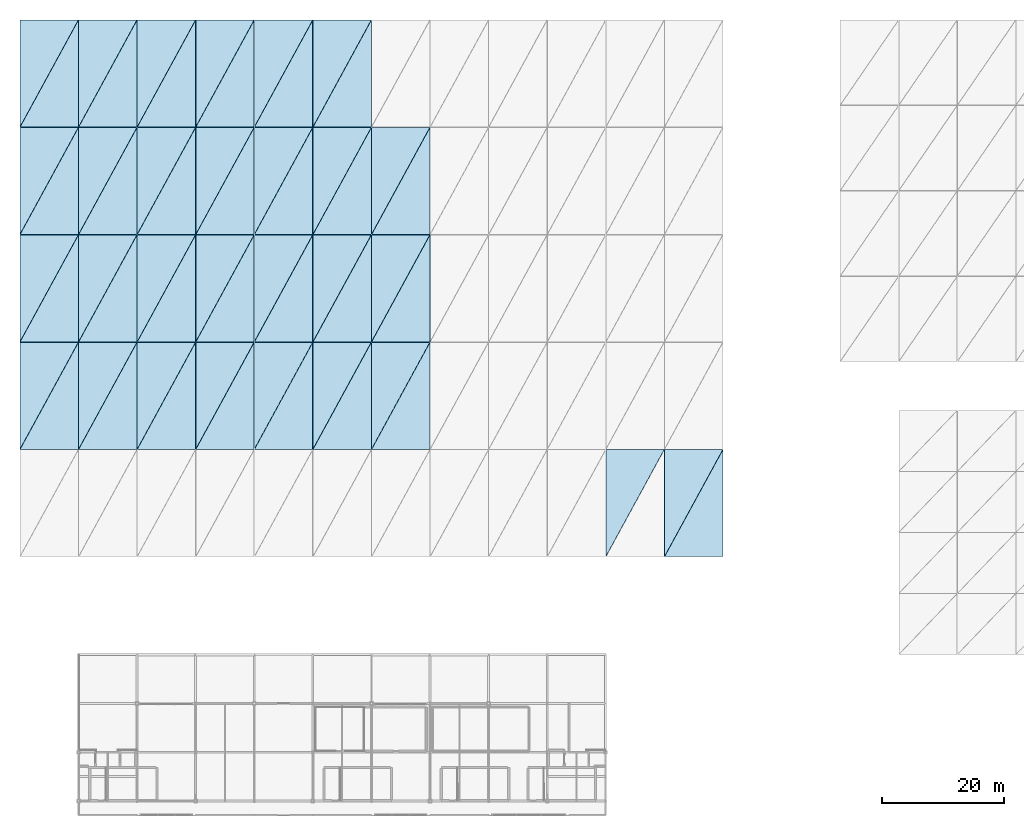
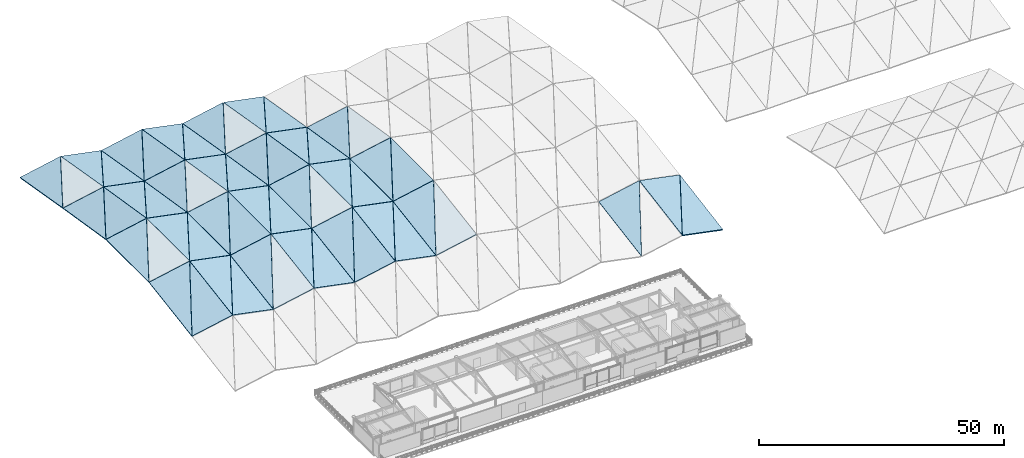
# One storey, part 16 of 26: 57 slabs.
"""IFC4 building model written with IfcOpenShell, lengths in metres."""

from ifc_helpers import new_model, si_unit, direction, frame, origin, place, context, subcontext, project, spatial, polyline, outline, extrude, material, layer, layer_set, type_object, element, save


model = new_model("IFC4")

# Units and contexts
model_context = context("Model", 3, precision=1e-05, world=origin(), true_north=direction((0.0, 1.0)))
body_context = subcontext(model_context, "Body", "Model", "MODEL_VIEW")
ifc_project = project(units=[si_unit("LENGTHUNIT", "METRE"), si_unit("AREAUNIT", "SQUARE_METRE"), si_unit("VOLUMEUNIT", "CUBIC_METRE"), si_unit("PLANEANGLEUNIT", "RADIAN"), si_unit("MASSUNIT", "GRAM", prefix="KILO")], contexts=[model_context])

# Site, building, storey
site_placement = place(None, origin())
site = spatial("IfcSite", under=ifc_project, at=site_placement, CompositionType="ELEMENT")
building_placement = place(site_placement, origin())
building = spatial("IfcBuilding", under=site, at=building_placement, Name="Danafjord Basin Convention Centre", CompositionType="ELEMENT")
storey_placement = place(building_placement, frame((0.0, 0.0, 29.39990234375)))
storey = spatial("IfcBuildingStorey", under=building, at=storey_placement, Name="RF", CompositionType="ELEMENT", Elevation=29.39990234375)

# Slabs
ifc_material = material(Name="Concrete C35/45", Category="concrete")
ifc_layer_1 = layer(ifc_material, 0.2880859375)
ifc_layer_set_1 = layer_set([ifc_layer_1], Name="Concrete C35/45")
slab_type_1 = type_object("IfcSlabType", Name="SLAB-RF-W130", PredefinedType="ROOF", material=ifc_layer_set_1)
slab_1_placement = place(storey_placement, frame((9.632080078125, 73.62939453125, -0.4697265625), z_axis=(0.193709692152, -0.156174371553, 0.968548460758), x_axis=(0.980580675691, 0.0, -0.196116135138)))
element("IfcSlab", 1, at=slab_1_placement, inside=storey, type_object=slab_type_1, Name="V1 wave-crested roof deck facet A-R 1-2", PredefinedType="ROOF", context=body_context, shape_type="SweptSolid", body=[
    extrude(outline(polyline([(0.0, 0.0), (9.741168870572155, 0.0), (9.187389764368971, 17.729512873858294), (0.0, 0.0)])), origin(), (0.0, 0.0, -1.0), 0.2880859375),
])
slab_2_placement = place(storey_placement, frame((9.615966796875, 73.65869140625, -0.4619140625), z_axis=(0.193709283639, -0.156187545055, 0.968546418197), x_axis=(0.478351578265, 0.876975855779, 0.045750584176)))
element("IfcSlab", 2, at=slab_2_placement, inside=storey, type_object=slab_type_1, Name="V1 wave-crested roof deck facet B-R 1-2", PredefinedType="ROOF", context=body_context, shape_type="SweptSolid", body=[
    extrude(outline(polyline([(0.0, 0.0), (19.968580406435894, 4.163336342344337e-16), (15.486767130450868, 8.648914424608925), (0.0, 0.0)])), origin(), (0.0, 0.0, -1.0), 0.2880859375),
])
slab_3_placement = place(storey_placement, frame((0.031982421875, 91.229248046875, 0.456298828125), z_axis=(-0.196116135138, 0.0, 0.980580675691), x_axis=(0.980580675691, 0.0, 0.196116135138)))
element("IfcSlab", 3, at=slab_3_placement, inside=storey, type_object=slab_type_1, Name="V1 wave-crested roof deck facet A-L 1-3", PredefinedType="ROOF", context=body_context, shape_type="SweptSolid", body=[
    extrude(outline(polyline([(0.0, 0.0), (9.741168870572155, 0.0), (9.741168870572155, 17.511962890625), (0.0, 0.0)])), origin(), (0.0, 0.0, -1.0), 0.2880859375),
])
slab_4_placement = place(storey_placement, frame((0.01611328125, 91.2587890625, 0.453125), z_axis=(-0.196116135138, 0.0, 0.980580675691), x_axis=(0.476671958525, 0.873896560077, 0.095334391705)))
element("IfcSlab", 4, at=slab_4_placement, inside=storey, type_object=slab_type_1, Name="V1 wave-crested roof deck facet B-L 1-3", PredefinedType="ROOF", context=body_context, shape_type="SweptSolid", body=[
    extrude(outline(polyline([(0.0, 0.0), (20.038942468294856, 4.440892098500626e-16), (15.303644130314332, 8.512773967122754), (0.0, 0.0)])), origin(), (0.0, 0.0, -1.0), 0.2880859375),
])
slab_5_placement = place(storey_placement, frame((9.632080078125, 126.42919921875, -0.4794921875), z_axis=(0.193411953597, 0.165490849742, 0.967059767986), x_axis=(0.980580675691, 0.0, -0.196116135138)))
element("IfcSlab", 5, at=slab_5_placement, inside=storey, type_object=slab_type_1, Name="V1 wave-crested roof deck facet A-R 1-5", PredefinedType="ROOF", context=body_context, shape_type="SweptSolid", body=[
    extrude(outline(polyline([(0.0, 0.0), (9.741168870572155, 5.551115123125783e-17), (10.328894837081238, 17.75705325773643), (0.0, 0.0)])), origin(), (0.0, 0.0, -1.0), 0.2880859375),
])
slab_6_placement = place(storey_placement, frame((9.615966796875, 126.458740234375, -0.481201171875), z_axis=(0.193411879749, 0.165493093722, 0.967059398746), x_axis=(0.464989436789, 0.852478653328, -0.238882752191)))
element("IfcSlab", 6, at=slab_6_placement, inside=storey, type_object=slab_type_1, Name="V1 wave-crested roof deck facet B-R 1-5", PredefinedType="ROOF", context=body_context, shape_type="SweptSolid", body=[
    extrude(outline(polyline([(0.0, 0.0), (20.54240633739963, 1.942890293094024e-15), (15.644464625906561, 8.420245718256705), (0.0, 0.0)])), origin(), (0.0, 0.0, -1.0), 0.2880859375),
])
slab_7_placement = place(storey_placement, frame((19.23193359375, 73.62939453125, -2.376953125), z_axis=(-0.193709692152, -0.156174371553, 0.968548460758), x_axis=(0.980580675691, 0.0, 0.196116135138)))
element("IfcSlab", 7, at=slab_7_placement, inside=storey, type_object=slab_type_1, Name="V1 wave-crested roof deck facet A-L 2-2", PredefinedType="ROOF", context=body_context, shape_type="SweptSolid", body=[
    extrude(outline(polyline([(0.0, 0.0), (9.741168870572155, 0.0), (10.294947976775337, 17.72951287385829), (0.0, 0.0)])), origin(), (0.0, 0.0, -1.0), 0.2880859375),
])
slab_8_placement = place(storey_placement, frame((19.216064453125, 73.65869140625, -2.37548828125), z_axis=(-0.193709283639, -0.156187545055, 0.968546418197), x_axis=(0.465910356256, 0.854167001761, 0.230924821176)))
element("IfcSlab", 8, at=slab_8_placement, inside=storey, type_object=slab_type_1, Name="V1 wave-crested roof deck facet B-L 2-2", PredefinedType="ROOF", context=body_context, shape_type="SweptSolid", body=[
    extrude(outline(polyline([(0.0, 0.0), (20.501802170437504, -6.106226635438361e-16), (15.610266668915834, 8.423968862855391), (0.0, 0.0)])), origin(), (0.0, 0.0, -1.0), 0.2880859375),
])
slab_9_placement = place(storey_placement, frame((28.83203125, 108.829345703125, 2.35888671875), z_axis=(0.193709283639, 0.156187545055, 0.968546418197), x_axis=(0.980580675691, 0.0, -0.196116135138)))
element("IfcSlab", 9, at=slab_9_placement, inside=storey, type_object=slab_type_1, Name="V1 wave-crested roof deck facet A-R 2-4", PredefinedType="ROOF", context=body_context, shape_type="SweptSolid", body=[
    extrude(outline(polyline([(0.0, 0.0), (9.741168870572155, 0.0), (10.294995856691143, 17.72955026351397), (0.0, 0.0)])), origin(), (0.0, 0.0, -1.0), 0.2880859375),
])
slab_10_placement = place(storey_placement, frame((28.81591796875, 108.858642578125, 2.357177734375), z_axis=(0.193709692152, 0.156174371553, 0.968548460758), x_axis=(0.465911637441, 0.854169350594, -0.230913547901)))
element("IfcSlab", 10, at=slab_10_placement, inside=storey, type_object=slab_type_1, Name="V1 wave-crested roof deck facet B-R 2-4", PredefinedType="ROOF", context=body_context, shape_type="SweptSolid", body=[
    extrude(outline(polyline([(0.0, 0.0), (20.501745793683465, 8.326672684688674e-16), (15.6102195907578, 8.423974262252681), (0.0, 0.0)])), origin(), (0.0, 0.0, -1.0), 0.2880859375),
])
slab_11_placement = place(storey_placement, frame((19.23193359375, 126.42919921875, -2.38671875), z_axis=(-0.193411953597, 0.165490849742, 0.967059767986), x_axis=(0.980580675691, 0.0, 0.196116135138)))
element("IfcSlab", 11, at=slab_11_placement, inside=storey, type_object=slab_type_1, Name="V1 wave-crested roof deck facet A-L 2-5", PredefinedType="ROOF", context=body_context, shape_type="SweptSolid", body=[
    extrude(outline(polyline([(0.0, 0.0), (9.741168870572155, -5.551115123125783e-17), (9.15344290406307, 17.757053257736434), (0.0, 0.0)])), origin(), (0.0, 0.0, -1.0), 0.2880859375),
])
slab_12_placement = place(storey_placement, frame((19.216064453125, 126.458740234375, -2.39501953125), z_axis=(-0.193412311273, 0.165479980801, 0.967061556367), x_axis=(0.478144670195, 0.8765965252, -0.054371006714)))
element("IfcSlab", 12, at=slab_12_placement, inside=storey, type_object=slab_type_1, Name="V1 wave-crested roof deck facet B-L 2-5", PredefinedType="ROOF", context=body_context, shape_type="SweptSolid", body=[
    extrude(outline(polyline([(0.0, 0.0), (19.97722143221028, 1.6653345369377348e-16), (15.513853001093139, 8.658447505939554), (0.0, 0.0)])), origin(), (0.0, 0.0, -1.0), 0.2880859375),
])
slab_13_placement = place(storey_placement, frame((48.031982421875, 91.229248046875, 2.363525390625), z_axis=(0.196116135138, 0.0, 0.980580675691), x_axis=(0.980580675691, 0.0, -0.196116135138)))
element("IfcSlab", 13, at=slab_13_placement, inside=storey, type_object=slab_type_1, Name="V1 wave-crested roof deck facet A-R 3-3", PredefinedType="ROOF", context=body_context, shape_type="SweptSolid", body=[
    extrude(outline(polyline([(0.0, 0.0), (9.741168870572155, 0.0), (9.741168870572155, 17.511962890625), (0.0, 0.0)])), origin(), (0.0, 0.0, -1.0), 0.2880859375),
])
slab_14_placement = place(storey_placement, frame((48.01611328125, 91.2587890625, 2.36669921875), z_axis=(0.196116135138, 0.0, 0.980580675691), x_axis=(0.476671958525, 0.873896560077, -0.095334391705)))
element("IfcSlab", 14, at=slab_14_placement, inside=storey, type_object=slab_type_1, Name="V1 wave-crested roof deck facet B-R 3-3", PredefinedType="ROOF", context=body_context, shape_type="SweptSolid", body=[
    extrude(outline(polyline([(0.0, 0.0), (20.038942468294856, 4.440892098500626e-16), (15.303644130314332, 8.512773967122754), (0.0, 0.0)])), origin(), (0.0, 0.0, -1.0), 0.2880859375),
])
slab_15_placement = place(storey_placement, frame((38.431884765625, 108.829345703125, 0.45166015625), z_axis=(-0.193709283639, 0.156187545055, 0.968546418197), x_axis=(0.980580675691, 0.0, 0.196116135138)))
element("IfcSlab", 15, at=slab_15_placement, inside=storey, type_object=slab_type_1, Name="V1 wave-crested roof deck facet A-L 3-4", PredefinedType="ROOF", context=body_context, shape_type="SweptSolid", body=[
    extrude(outline(polyline([(0.0, 0.0), (9.741168870572155, 0.0), (9.187341884453167, 17.72955026351397), (0.0, 0.0)])), origin(), (0.0, 0.0, -1.0), 0.2880859375),
])
slab_16_placement = place(storey_placement, frame((38.416015625, 108.858642578125, 0.443603515625), z_axis=(-0.193709692152, 0.156174371553, 0.968548460758), x_axis=(0.478351845799, 0.876976346257, -0.045738383518)))
element("IfcSlab", 16, at=slab_16_placement, inside=storey, type_object=slab_type_1, Name="V1 wave-crested roof deck facet B-L 3-4", PredefinedType="ROOF", context=body_context, shape_type="SweptSolid", body=[
    extrude(outline(polyline([(0.0, 0.0), (19.968569238349023, 5.273559366969494e-16), (15.48673009873705, 8.648901022190403), (0.0, 0.0)])), origin(), (0.0, 0.0, -1.0), 0.2880859375),
])
slab_17_placement = place(storey_placement, frame((57.632080078125, 91.229248046875, 0.456298828125), z_axis=(-0.196116135138, 0.0, 0.980580675691), x_axis=(0.980580675691, 0.0, 0.196116135138)))
element("IfcSlab", 17, at=slab_17_placement, inside=storey, type_object=slab_type_1, Name="V1 wave-crested roof deck facet A-L 4-3", PredefinedType="ROOF", context=body_context, shape_type="SweptSolid", body=[
    extrude(outline(polyline([(0.0, 0.0), (9.741168870572155, 0.0), (9.741168870572155, 17.511962890625), (0.0, 0.0)])), origin(), (0.0, 0.0, -1.0), 0.2880859375),
])
slab_18_placement = place(storey_placement, frame((57.615966796875, 91.2587890625, 0.453125), z_axis=(-0.196116135138, 0.0, 0.980580675691), x_axis=(0.476671958525, 0.873896560077, 0.095334391705)))
element("IfcSlab", 18, at=slab_18_placement, inside=storey, type_object=slab_type_1, Name="V1 wave-crested roof deck facet B-L 4-3", PredefinedType="ROOF", context=body_context, shape_type="SweptSolid", body=[
    extrude(outline(polyline([(0.0, 0.0), (20.038942468294856, 4.440892098500626e-16), (15.303644130314332, 8.512773967122754), (0.0, 0.0)])), origin(), (0.0, 0.0, -1.0), 0.2880859375),
])
slab_19_placement = place(storey_placement, frame((96.01611328125, 56.05859375, -5.38671875), z_axis=(-0.193411953597, -0.165490849742, 0.967059767986), x_axis=(0.464984725804, 0.852481901135, 0.238880331978)))
element("IfcSlab", 19, at=slab_19_placement, inside=storey, type_object=slab_type_1, Name="V1 wave-crested roof deck facet B-L 6-1", PredefinedType="ROOF", context=body_context, shape_type="SweptSolid", body=[
    extrude(outline(polyline([(0.0, 0.0), (20.542614462467316, 6.661338147750939e-16), (15.644722373891142, 8.420274583032723), (0.0, 0.0)])), origin(), (0.0, 0.0, -1.0), 0.2880859375),
])
ifc_layer_2 = layer(ifc_material, 0.27490234375)
ifc_layer_set_2 = layer_set([ifc_layer_2], Name="Concrete C35/45")
slab_type_2 = type_object("IfcSlabType", Name="SLAB-RF-W145", PredefinedType="ROOF", material=ifc_layer_set_2)
slab_20_placement = place(storey_placement, frame((0.031982421875, 73.62939453125, -2.376953125), z_axis=(-0.193709692152, -0.156174371553, 0.968548460758), x_axis=(0.980580675691, 0.0, 0.196116135138)))
element("IfcSlab", 20, at=slab_20_placement, inside=storey, type_object=slab_type_2, Name="V1 wave-crested roof deck facet A-L 1-2", PredefinedType="ROOF", context=body_context, shape_type="SweptSolid", body=[
    extrude(outline(polyline([(0.0, 0.0), (9.741168870572155, 0.0), (10.294947976775337, 17.72951287385829), (0.0, 0.0)])), origin(), (0.0, 0.0, -1.0), 0.27490234375),
])
slab_21_placement = place(storey_placement, frame((0.01611328125, 73.65869140625, -2.37548828125), z_axis=(-0.193709283639, -0.156187545055, 0.968546418197), x_axis=(0.465910356256, 0.854167001761, 0.230924821176)))
element("IfcSlab", 21, at=slab_21_placement, inside=storey, type_object=slab_type_2, Name="V1 wave-crested roof deck facet B-L 1-2", PredefinedType="ROOF", context=body_context, shape_type="SweptSolid", body=[
    extrude(outline(polyline([(0.0, 0.0), (20.501802170437504, -6.106226635438361e-16), (15.610266668915834, 8.423968862855391), (0.0, 0.0)])), origin(), (0.0, 0.0, -1.0), 0.27490234375),
])
slab_22_placement = place(storey_placement, frame((9.632080078125, 108.829345703125, 2.35888671875), z_axis=(0.193709283639, 0.156187545055, 0.968546418197), x_axis=(0.980580675691, 0.0, -0.196116135138)))
element("IfcSlab", 22, at=slab_22_placement, inside=storey, type_object=slab_type_2, Name="V1 wave-crested roof deck facet A-R 1-4", PredefinedType="ROOF", context=body_context, shape_type="SweptSolid", body=[
    extrude(outline(polyline([(0.0, 0.0), (9.741168870572155, 0.0), (10.294995856691143, 17.72955026351397), (0.0, 0.0)])), origin(), (0.0, 0.0, -1.0), 0.27490234375),
])
slab_23_placement = place(storey_placement, frame((9.615966796875, 108.858642578125, 2.357177734375), z_axis=(0.193709692152, 0.156174371553, 0.968548460758), x_axis=(0.465911637441, 0.854169350594, -0.230913547901)))
element("IfcSlab", 23, at=slab_23_placement, inside=storey, type_object=slab_type_2, Name="V1 wave-crested roof deck facet B-R 1-4", PredefinedType="ROOF", context=body_context, shape_type="SweptSolid", body=[
    extrude(outline(polyline([(0.0, 0.0), (20.501745793683465, 8.326672684688674e-16), (15.6102195907578, 8.423974262252681), (0.0, 0.0)])), origin(), (0.0, 0.0, -1.0), 0.27490234375),
])
slab_24_placement = place(storey_placement, frame((0.031982421875, 126.42919921875, -2.38671875), z_axis=(-0.193411953597, 0.165490849742, 0.967059767986), x_axis=(0.980580675691, 0.0, 0.196116135138)))
element("IfcSlab", 24, at=slab_24_placement, inside=storey, type_object=slab_type_2, Name="V1 wave-crested roof deck facet A-L 1-5", PredefinedType="ROOF", context=body_context, shape_type="SweptSolid", body=[
    extrude(outline(polyline([(0.0, 0.0), (9.741168870572155, -5.551115123125783e-17), (9.15344290406307, 17.757053257736434), (0.0, 0.0)])), origin(), (0.0, 0.0, -1.0), 0.27490234375),
])
slab_25_placement = place(storey_placement, frame((0.01611328125, 126.458740234375, -2.39501953125), z_axis=(-0.193412311273, 0.165479980801, 0.967061556367), x_axis=(0.478144670195, 0.8765965252, -0.054371006714)))
element("IfcSlab", 25, at=slab_25_placement, inside=storey, type_object=slab_type_2, Name="V1 wave-crested roof deck facet B-L 1-5", PredefinedType="ROOF", context=body_context, shape_type="SweptSolid", body=[
    extrude(outline(polyline([(0.0, 0.0), (19.97722143221028, 1.6653345369377348e-16), (15.513853001093139, 8.658447505939554), (0.0, 0.0)])), origin(), (0.0, 0.0, -1.0), 0.27490234375),
])
slab_26_placement = place(storey_placement, frame((28.83203125, 91.229248046875, 2.363525390625), z_axis=(0.196116135138, 0.0, 0.980580675691), x_axis=(0.980580675691, 0.0, -0.196116135138)))
element("IfcSlab", 26, at=slab_26_placement, inside=storey, type_object=slab_type_2, Name="V1 wave-crested roof deck facet A-R 2-3", PredefinedType="ROOF", context=body_context, shape_type="SweptSolid", body=[
    extrude(outline(polyline([(0.0, 0.0), (9.741168870572155, 0.0), (9.741168870572155, 17.511962890625), (0.0, 0.0)])), origin(), (0.0, 0.0, -1.0), 0.27490234375),
])
slab_27_placement = place(storey_placement, frame((28.81591796875, 91.2587890625, 2.36669921875), z_axis=(0.196116135138, 0.0, 0.980580675691), x_axis=(0.476671958525, 0.873896560077, -0.095334391705)))
element("IfcSlab", 27, at=slab_27_placement, inside=storey, type_object=slab_type_2, Name="V1 wave-crested roof deck facet B-R 2-3", PredefinedType="ROOF", context=body_context, shape_type="SweptSolid", body=[
    extrude(outline(polyline([(0.0, 0.0), (20.038942468294856, 4.440892098500626e-16), (15.303644130314332, 8.512773967122754), (0.0, 0.0)])), origin(), (0.0, 0.0, -1.0), 0.27490234375),
])
slab_28_placement = place(storey_placement, frame((19.23193359375, 108.829345703125, 0.45166015625), z_axis=(-0.193709283639, 0.156187545055, 0.968546418197), x_axis=(0.980580675691, 0.0, 0.196116135138)))
element("IfcSlab", 28, at=slab_28_placement, inside=storey, type_object=slab_type_2, Name="V1 wave-crested roof deck facet A-L 2-4", PredefinedType="ROOF", context=body_context, shape_type="SweptSolid", body=[
    extrude(outline(polyline([(0.0, 0.0), (9.741168870572155, 0.0), (9.187341884453167, 17.72955026351397), (0.0, 0.0)])), origin(), (0.0, 0.0, -1.0), 0.27490234375),
])
slab_29_placement = place(storey_placement, frame((19.216064453125, 108.858642578125, 0.443603515625), z_axis=(-0.193709692152, 0.156174371553, 0.968548460758), x_axis=(0.478351845799, 0.876976346257, -0.045738383518)))
element("IfcSlab", 29, at=slab_29_placement, inside=storey, type_object=slab_type_2, Name="V1 wave-crested roof deck facet B-L 2-4", PredefinedType="ROOF", context=body_context, shape_type="SweptSolid", body=[
    extrude(outline(polyline([(0.0, 0.0), (19.968569238349023, 5.273559366969494e-16), (15.48673009873705, 8.648901022190403), (0.0, 0.0)])), origin(), (0.0, 0.0, -1.0), 0.27490234375),
])
slab_30_placement = place(storey_placement, frame((48.031982421875, 73.62939453125, -0.4697265625), z_axis=(0.193709692152, -0.156174371553, 0.968548460758), x_axis=(0.980580675691, 0.0, -0.196116135138)))
element("IfcSlab", 30, at=slab_30_placement, inside=storey, type_object=slab_type_2, Name="V1 wave-crested roof deck facet A-R 3-2", PredefinedType="ROOF", context=body_context, shape_type="SweptSolid", body=[
    extrude(outline(polyline([(0.0, 0.0), (9.741168870572155, 0.0), (9.187389764368971, 17.729512873858294), (0.0, 0.0)])), origin(), (0.0, 0.0, -1.0), 0.27490234375),
])
slab_31_placement = place(storey_placement, frame((48.01611328125, 73.65869140625, -0.4619140625), z_axis=(0.193709283639, -0.156187545055, 0.968546418197), x_axis=(0.478351578265, 0.876975855779, 0.045750584176)))
element("IfcSlab", 31, at=slab_31_placement, inside=storey, type_object=slab_type_2, Name="V1 wave-crested roof deck facet B-R 3-2", PredefinedType="ROOF", context=body_context, shape_type="SweptSolid", body=[
    extrude(outline(polyline([(0.0, 0.0), (19.968580406435894, 4.163336342344337e-16), (15.486767130450868, 8.648914424608925), (0.0, 0.0)])), origin(), (0.0, 0.0, -1.0), 0.27490234375),
])
slab_32_placement = place(storey_placement, frame((38.431884765625, 91.229248046875, 0.456298828125), z_axis=(-0.196116135138, 0.0, 0.980580675691), x_axis=(0.980580675691, 0.0, 0.196116135138)))
element("IfcSlab", 32, at=slab_32_placement, inside=storey, type_object=slab_type_2, Name="V1 wave-crested roof deck facet A-L 3-3", PredefinedType="ROOF", context=body_context, shape_type="SweptSolid", body=[
    extrude(outline(polyline([(0.0, 0.0), (9.741168870572155, 0.0), (9.741168870572155, 17.511962890625), (0.0, 0.0)])), origin(), (0.0, 0.0, -1.0), 0.27490234375),
])
slab_33_placement = place(storey_placement, frame((38.416015625, 91.2587890625, 0.453125), z_axis=(-0.196116135138, 0.0, 0.980580675691), x_axis=(0.476671958525, 0.873896560077, 0.095334391705)))
element("IfcSlab", 33, at=slab_33_placement, inside=storey, type_object=slab_type_2, Name="V1 wave-crested roof deck facet B-L 3-3", PredefinedType="ROOF", context=body_context, shape_type="SweptSolid", body=[
    extrude(outline(polyline([(0.0, 0.0), (20.038942468294856, 4.440892098500626e-16), (15.303644130314332, 8.512773967122754), (0.0, 0.0)])), origin(), (0.0, 0.0, -1.0), 0.27490234375),
])
slab_34_placement = place(storey_placement, frame((48.031982421875, 126.42919921875, -0.4794921875), z_axis=(0.193411953597, 0.165490849742, 0.967059767986), x_axis=(0.980580675691, 0.0, -0.196116135138)))
element("IfcSlab", 34, at=slab_34_placement, inside=storey, type_object=slab_type_2, Name="V1 wave-crested roof deck facet A-R 3-5", PredefinedType="ROOF", context=body_context, shape_type="SweptSolid", body=[
    extrude(outline(polyline([(0.0, 0.0), (9.741168870572155, 5.551115123125783e-17), (10.328894837081238, 17.75705325773643), (0.0, 0.0)])), origin(), (0.0, 0.0, -1.0), 0.27490234375),
])
slab_35_placement = place(storey_placement, frame((48.01611328125, 126.458740234375, -0.481201171875), z_axis=(0.193411879749, 0.165493093722, 0.967059398746), x_axis=(0.464989436789, 0.852478653328, -0.238882752191)))
element("IfcSlab", 35, at=slab_35_placement, inside=storey, type_object=slab_type_2, Name="V1 wave-crested roof deck facet B-R 3-5", PredefinedType="ROOF", context=body_context, shape_type="SweptSolid", body=[
    extrude(outline(polyline([(0.0, 0.0), (20.54240633739963, 1.942890293094024e-15), (15.644464625906561, 8.420245718256705), (0.0, 0.0)])), origin(), (0.0, 0.0, -1.0), 0.27490234375),
])
slab_36_placement = place(storey_placement, frame((57.632080078125, 73.62939453125, -2.376953125), z_axis=(-0.193709692152, -0.156174371553, 0.968548460758), x_axis=(0.980580675691, 0.0, 0.196116135138)))
element("IfcSlab", 36, at=slab_36_placement, inside=storey, type_object=slab_type_2, Name="V1 wave-crested roof deck facet A-L 4-2", PredefinedType="ROOF", context=body_context, shape_type="SweptSolid", body=[
    extrude(outline(polyline([(0.0, 0.0), (9.741168870572155, 0.0), (10.294947976775337, 17.72951287385829), (0.0, 0.0)])), origin(), (0.0, 0.0, -1.0), 0.27490234375),
])
slab_37_placement = place(storey_placement, frame((57.615966796875, 73.65869140625, -2.37548828125), z_axis=(-0.193709283639, -0.156187545055, 0.968546418197), x_axis=(0.465910356256, 0.854167001761, 0.230924821176)))
element("IfcSlab", 37, at=slab_37_placement, inside=storey, type_object=slab_type_2, Name="V1 wave-crested roof deck facet B-L 4-2", PredefinedType="ROOF", context=body_context, shape_type="SweptSolid", body=[
    extrude(outline(polyline([(0.0, 0.0), (20.501802170437504, -6.106226635438361e-16), (15.610266668915834, 8.423968862855391), (0.0, 0.0)])), origin(), (0.0, 0.0, -1.0), 0.27490234375),
])
ifc_layer_3 = layer(ifc_material, 0.264892578125)
ifc_layer_set_3 = layer_set([ifc_layer_3], Name="Concrete C35/45")
slab_type_3 = type_object("IfcSlabType", Name="SLAB-RF-W160", PredefinedType="ROOF", material=ifc_layer_set_3)
slab_38_placement = place(storey_placement, frame((9.632080078125, 91.229248046875, 2.363525390625), z_axis=(0.196116135138, 0.0, 0.980580675691), x_axis=(0.980580675691, 0.0, -0.196116135138)))
element("IfcSlab", 38, at=slab_38_placement, inside=storey, type_object=slab_type_3, Name="V1 wave-crested roof deck facet A-R 1-3", PredefinedType="ROOF", context=body_context, shape_type="SweptSolid", body=[
    extrude(outline(polyline([(0.0, 0.0), (9.741168870572155, 0.0), (9.741168870572155, 17.511962890625), (0.0, 0.0)])), origin(), (0.0, 0.0, -1.0), 0.264892578125),
])
slab_39_placement = place(storey_placement, frame((9.615966796875, 91.2587890625, 2.36669921875), z_axis=(0.196116135138, 0.0, 0.980580675691), x_axis=(0.476671958525, 0.873896560077, -0.095334391705)))
element("IfcSlab", 39, at=slab_39_placement, inside=storey, type_object=slab_type_3, Name="V1 wave-crested roof deck facet B-R 1-3", PredefinedType="ROOF", context=body_context, shape_type="SweptSolid", body=[
    extrude(outline(polyline([(0.0, 0.0), (20.038942468294856, 4.440892098500626e-16), (15.303644130314332, 8.512773967122754), (0.0, 0.0)])), origin(), (0.0, 0.0, -1.0), 0.264892578125),
])
slab_40_placement = place(storey_placement, frame((0.031982421875, 108.829345703125, 0.45166015625), z_axis=(-0.193709283639, 0.156187545055, 0.968546418197), x_axis=(0.980580675691, 0.0, 0.196116135138)))
element("IfcSlab", 40, at=slab_40_placement, inside=storey, type_object=slab_type_3, Name="V1 wave-crested roof deck facet A-L 1-4", PredefinedType="ROOF", context=body_context, shape_type="SweptSolid", body=[
    extrude(outline(polyline([(0.0, 0.0), (9.741168870572155, 0.0), (9.187341884453167, 17.72955026351397), (0.0, 0.0)])), origin(), (0.0, 0.0, -1.0), 0.264892578125),
])
slab_41_placement = place(storey_placement, frame((0.01611328125, 108.858642578125, 0.443603515625), z_axis=(-0.193709692152, 0.156174371553, 0.968548460758), x_axis=(0.478351845799, 0.876976346257, -0.045738383518)))
element("IfcSlab", 41, at=slab_41_placement, inside=storey, type_object=slab_type_3, Name="V1 wave-crested roof deck facet B-L 1-4", PredefinedType="ROOF", context=body_context, shape_type="SweptSolid", body=[
    extrude(outline(polyline([(0.0, 0.0), (19.968569238349023, 5.273559366969494e-16), (15.48673009873705, 8.648901022190403), (0.0, 0.0)])), origin(), (0.0, 0.0, -1.0), 0.264892578125),
])
slab_42_placement = place(storey_placement, frame((28.83203125, 73.62939453125, -0.4697265625), z_axis=(0.193709692152, -0.156174371553, 0.968548460758), x_axis=(0.980580675691, 0.0, -0.196116135138)))
element("IfcSlab", 42, at=slab_42_placement, inside=storey, type_object=slab_type_3, Name="V1 wave-crested roof deck facet A-R 2-2", PredefinedType="ROOF", context=body_context, shape_type="SweptSolid", body=[
    extrude(outline(polyline([(0.0, 0.0), (9.741168870572155, 0.0), (9.187389764368971, 17.729512873858294), (0.0, 0.0)])), origin(), (0.0, 0.0, -1.0), 0.264892578125),
])
slab_43_placement = place(storey_placement, frame((28.81591796875, 73.65869140625, -0.4619140625), z_axis=(0.193709283639, -0.156187545055, 0.968546418197), x_axis=(0.478351578265, 0.876975855779, 0.045750584176)))
element("IfcSlab", 43, at=slab_43_placement, inside=storey, type_object=slab_type_3, Name="V1 wave-crested roof deck facet B-R 2-2", PredefinedType="ROOF", context=body_context, shape_type="SweptSolid", body=[
    extrude(outline(polyline([(0.0, 0.0), (19.968580406435894, 4.163336342344337e-16), (15.486767130450868, 8.648914424608925), (0.0, 0.0)])), origin(), (0.0, 0.0, -1.0), 0.264892578125),
])
slab_44_placement = place(storey_placement, frame((19.23193359375, 91.229248046875, 0.456298828125), z_axis=(-0.196116135138, 0.0, 0.980580675691), x_axis=(0.980580675691, 0.0, 0.196116135138)))
element("IfcSlab", 44, at=slab_44_placement, inside=storey, type_object=slab_type_3, Name="V1 wave-crested roof deck facet A-L 2-3", PredefinedType="ROOF", context=body_context, shape_type="SweptSolid", body=[
    extrude(outline(polyline([(0.0, 0.0), (9.741168870572155, 0.0), (9.741168870572155, 17.511962890625), (0.0, 0.0)])), origin(), (0.0, 0.0, -1.0), 0.264892578125),
])
slab_45_placement = place(storey_placement, frame((19.216064453125, 91.2587890625, 0.453125), z_axis=(-0.196116135138, 0.0, 0.980580675691), x_axis=(0.476671958525, 0.873896560077, 0.095334391705)))
element("IfcSlab", 45, at=slab_45_placement, inside=storey, type_object=slab_type_3, Name="V1 wave-crested roof deck facet B-L 2-3", PredefinedType="ROOF", context=body_context, shape_type="SweptSolid", body=[
    extrude(outline(polyline([(0.0, 0.0), (20.038942468294856, 4.440892098500626e-16), (15.303644130314332, 8.512773967122754), (0.0, 0.0)])), origin(), (0.0, 0.0, -1.0), 0.264892578125),
])
slab_46_placement = place(storey_placement, frame((28.83203125, 126.42919921875, -0.4794921875), z_axis=(0.193411953597, 0.165490849742, 0.967059767986), x_axis=(0.980580675691, 0.0, -0.196116135138)))
element("IfcSlab", 46, at=slab_46_placement, inside=storey, type_object=slab_type_3, Name="V1 wave-crested roof deck facet A-R 2-5", PredefinedType="ROOF", context=body_context, shape_type="SweptSolid", body=[
    extrude(outline(polyline([(0.0, 0.0), (9.741168870572155, 5.551115123125783e-17), (10.328894837081238, 17.75705325773643), (0.0, 0.0)])), origin(), (0.0, 0.0, -1.0), 0.264892578125),
])
slab_47_placement = place(storey_placement, frame((28.81591796875, 126.458740234375, -0.481201171875), z_axis=(0.193411879749, 0.165493093722, 0.967059398746), x_axis=(0.464989436789, 0.852478653328, -0.238882752191)))
element("IfcSlab", 47, at=slab_47_placement, inside=storey, type_object=slab_type_3, Name="V1 wave-crested roof deck facet B-R 2-5", PredefinedType="ROOF", context=body_context, shape_type="SweptSolid", body=[
    extrude(outline(polyline([(0.0, 0.0), (20.54240633739963, 1.942890293094024e-15), (15.644464625906561, 8.420245718256705), (0.0, 0.0)])), origin(), (0.0, 0.0, -1.0), 0.264892578125),
])
slab_48_placement = place(storey_placement, frame((38.431884765625, 73.62939453125, -2.376953125), z_axis=(-0.193709692152, -0.156174371553, 0.968548460758), x_axis=(0.980580675691, 0.0, 0.196116135138)))
element("IfcSlab", 48, at=slab_48_placement, inside=storey, type_object=slab_type_3, Name="V1 wave-crested roof deck facet A-L 3-2", PredefinedType="ROOF", context=body_context, shape_type="SweptSolid", body=[
    extrude(outline(polyline([(0.0, 0.0), (9.741168870572155, 0.0), (10.294947976775337, 17.72951287385829), (0.0, 0.0)])), origin(), (0.0, 0.0, -1.0), 0.264892578125),
])
slab_49_placement = place(storey_placement, frame((38.416015625, 73.65869140625, -2.37548828125), z_axis=(-0.193709283639, -0.156187545055, 0.968546418197), x_axis=(0.465910356256, 0.854167001761, 0.230924821176)))
element("IfcSlab", 49, at=slab_49_placement, inside=storey, type_object=slab_type_3, Name="V1 wave-crested roof deck facet B-L 3-2", PredefinedType="ROOF", context=body_context, shape_type="SweptSolid", body=[
    extrude(outline(polyline([(0.0, 0.0), (20.501802170437504, -6.106226635438361e-16), (15.610266668915834, 8.423968862855391), (0.0, 0.0)])), origin(), (0.0, 0.0, -1.0), 0.264892578125),
])
slab_50_placement = place(storey_placement, frame((48.031982421875, 108.829345703125, 2.35888671875), z_axis=(0.193709283639, 0.156187545055, 0.968546418197), x_axis=(0.980580675691, 0.0, -0.196116135138)))
element("IfcSlab", 50, at=slab_50_placement, inside=storey, type_object=slab_type_3, Name="V1 wave-crested roof deck facet A-R 3-4", PredefinedType="ROOF", context=body_context, shape_type="SweptSolid", body=[
    extrude(outline(polyline([(0.0, 0.0), (9.741168870572155, 0.0), (10.294995856691143, 17.72955026351397), (0.0, 0.0)])), origin(), (0.0, 0.0, -1.0), 0.264892578125),
])
slab_51_placement = place(storey_placement, frame((48.01611328125, 108.858642578125, 2.357177734375), z_axis=(0.193709692152, 0.156174371553, 0.968548460758), x_axis=(0.465911637441, 0.854169350594, -0.230913547901)))
element("IfcSlab", 51, at=slab_51_placement, inside=storey, type_object=slab_type_3, Name="V1 wave-crested roof deck facet B-R 3-4", PredefinedType="ROOF", context=body_context, shape_type="SweptSolid", body=[
    extrude(outline(polyline([(0.0, 0.0), (20.501745793683465, 8.326672684688674e-16), (15.6102195907578, 8.423974262252681), (0.0, 0.0)])), origin(), (0.0, 0.0, -1.0), 0.264892578125),
])
slab_52_placement = place(storey_placement, frame((38.431884765625, 126.42919921875, -2.38671875), z_axis=(-0.193411953597, 0.165490849742, 0.967059767986), x_axis=(0.980580675691, 0.0, 0.196116135138)))
element("IfcSlab", 52, at=slab_52_placement, inside=storey, type_object=slab_type_3, Name="V1 wave-crested roof deck facet A-L 3-5", PredefinedType="ROOF", context=body_context, shape_type="SweptSolid", body=[
    extrude(outline(polyline([(0.0, 0.0), (9.741168870572155, -5.551115123125783e-17), (9.15344290406307, 17.757053257736434), (0.0, 0.0)])), origin(), (0.0, 0.0, -1.0), 0.264892578125),
])
slab_53_placement = place(storey_placement, frame((38.416015625, 126.458740234375, -2.39501953125), z_axis=(-0.193412311273, 0.165479980801, 0.967061556367), x_axis=(0.478144670195, 0.8765965252, -0.054371006714)))
element("IfcSlab", 53, at=slab_53_placement, inside=storey, type_object=slab_type_3, Name="V1 wave-crested roof deck facet B-L 3-5", PredefinedType="ROOF", context=body_context, shape_type="SweptSolid", body=[
    extrude(outline(polyline([(0.0, 0.0), (19.97722143221028, 1.6653345369377348e-16), (15.513853001093139, 8.658447505939554), (0.0, 0.0)])), origin(), (0.0, 0.0, -1.0), 0.264892578125),
])
slab_54_placement = place(storey_placement, frame((57.632080078125, 108.829345703125, 0.45166015625), z_axis=(-0.193709283639, 0.156187545055, 0.968546418197), x_axis=(0.980580675691, 0.0, 0.196116135138)))
element("IfcSlab", 54, at=slab_54_placement, inside=storey, type_object=slab_type_3, Name="V1 wave-crested roof deck facet A-L 4-4", PredefinedType="ROOF", context=body_context, shape_type="SweptSolid", body=[
    extrude(outline(polyline([(0.0, 0.0), (9.741168870572155, 0.0), (9.187341884453167, 17.72955026351397), (0.0, 0.0)])), origin(), (0.0, 0.0, -1.0), 0.264892578125),
])
slab_55_placement = place(storey_placement, frame((57.615966796875, 108.858642578125, 0.443603515625), z_axis=(-0.193709692152, 0.156174371553, 0.968548460758), x_axis=(0.478351845799, 0.876976346257, -0.045738383518)))
element("IfcSlab", 55, at=slab_55_placement, inside=storey, type_object=slab_type_3, Name="V1 wave-crested roof deck facet B-L 4-4", PredefinedType="ROOF", context=body_context, shape_type="SweptSolid", body=[
    extrude(outline(polyline([(0.0, 0.0), (19.968569238349023, 5.273559366969494e-16), (15.48673009873705, 8.648901022190403), (0.0, 0.0)])), origin(), (0.0, 0.0, -1.0), 0.264892578125),
])
slab_56_placement = place(storey_placement, frame((105.632080078125, 56.029296875, -3.481201171875), z_axis=(0.193412311273, -0.165479980801, 0.967061556367), x_axis=(0.980580675691, 0.0, -0.196116135138)))
element("IfcSlab", 56, at=slab_56_placement, inside=storey, type_object=slab_type_3, Name="V1 wave-crested roof deck facet A-R 6-1", PredefinedType="ROOF", context=body_context, shape_type="SweptSolid", body=[
    extrude(outline(polyline([(0.0, 0.0), (9.741168870572155, -5.551115123125783e-17), (9.153490783978876, 17.756772866125637), (0.0, 0.0)])), origin(), (0.0, 0.0, -1.0), 0.264892578125),
])
slab_57_placement = place(storey_placement, frame((105.615966796875, 56.05859375, -3.47314453125), z_axis=(0.193411953597, -0.165490849742, 0.967059767986), x_axis=(0.478139230218, 0.876598772742, 0.054382608932)))
element("IfcSlab", 57, at=slab_57_placement, inside=storey, type_object=slab_type_3, Name="V1 wave-crested roof deck facet B-R 6-1", PredefinedType="ROOF", context=body_context, shape_type="SweptSolid", body=[
    extrude(outline(polyline([(0.0, 0.0), (19.97744872089603, 6.661338147750939e-16), (15.514154417336957, 8.658485717769656), (0.0, 0.0)])), origin(), (0.0, 0.0, -1.0), 0.264892578125),
])

save(model, "model.ifc")
